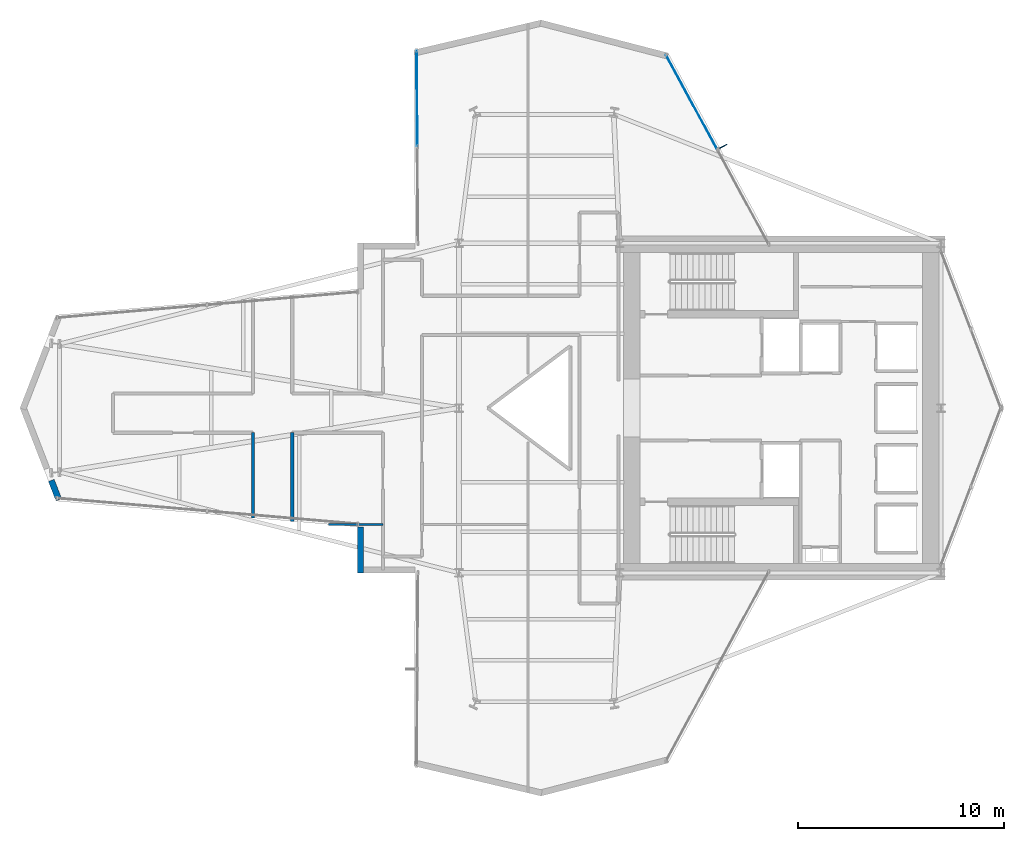
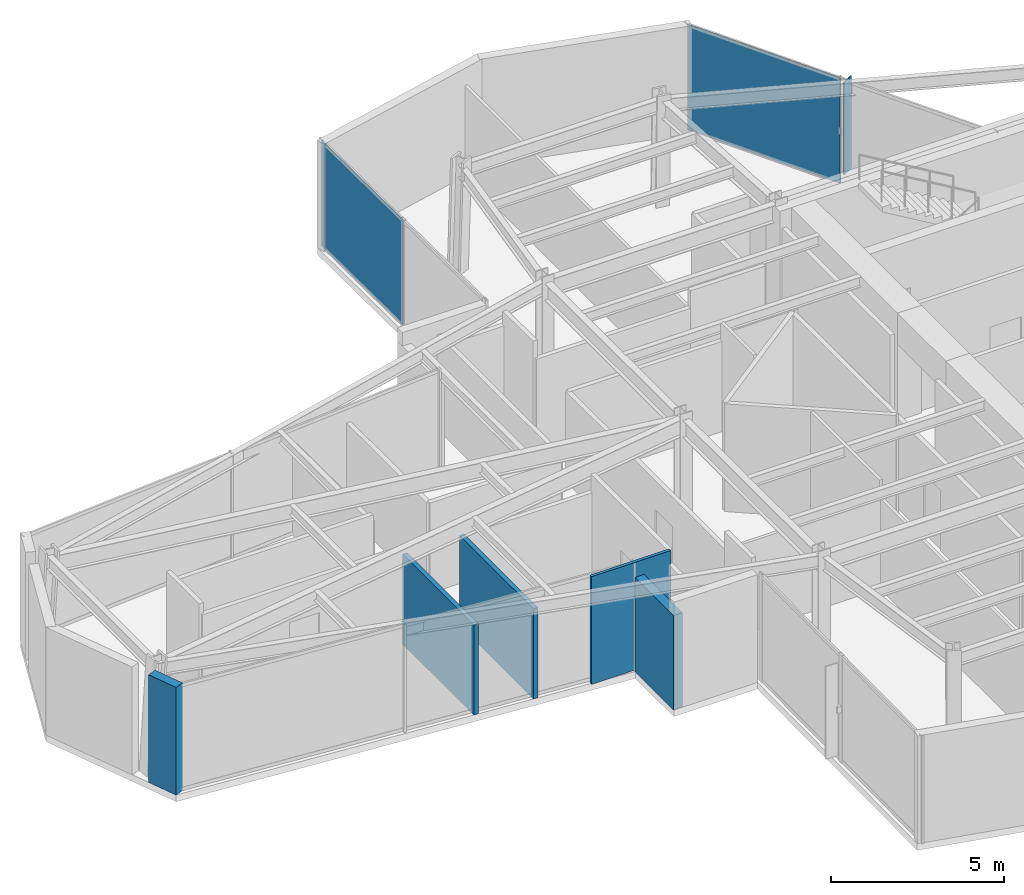
# One storey, part 22 of 26: 5 walls, 3 plates, 2 elements without a shape of their own.
"""IFC4 building model written with IfcOpenShell, lengths in metres."""

from ifc_helpers import new_model, si_unit, direction, frame, frame_2d, origin, origin_2d, place, context, subcontext, project, spatial, rectangle, extrude, material, layer, layer_set, type_object, element, aggregate, save


model = new_model("IFC4")

# Units and contexts
model_context = context("Model", 3, precision=1e-05, world=origin(), true_north=direction((0.0, 1.0)))
body_context = subcontext(model_context, "Body", "Model", "MODEL_VIEW")
ifc_project = project(units=[si_unit("LENGTHUNIT", "METRE"), si_unit("AREAUNIT", "SQUARE_METRE"), si_unit("VOLUMEUNIT", "CUBIC_METRE"), si_unit("PLANEANGLEUNIT", "RADIAN"), si_unit("MASSUNIT", "GRAM", prefix="KILO")], contexts=[model_context])

# Site, building, storey
site_placement = place(None, origin())
site = spatial("IfcSite", under=ifc_project, at=site_placement, CompositionType="ELEMENT")
building_placement = place(site_placement, origin())
building = spatial("IfcBuilding", under=site, at=building_placement, Name="Veymaron Broadcast Tower", CompositionType="ELEMENT")
storey_placement = place(building_placement, frame((0.0, 0.0, 157.35009765625)))
storey = spatial("IfcBuildingStorey", under=building, at=storey_placement, Name="L36", CompositionType="ELEMENT", Elevation=157.35009765625)

# Curtain wall, plate
ifc_material_1 = material(Name="Anodised aluminium AA 6063-T6 and laminated low-E dark glass", Category="aluminium")
ifc_layer_1 = layer(ifc_material_1, 0.179931640625)
ifc_layer_set_1 = layer_set([ifc_layer_1], Name="Anodised aluminium AA 6063-T6 and laminated low-E dark glass")
curtain_wall_type = type_object("IfcCurtainWallType", Name="CW-SYS-03", PredefinedType="NOTDEFINED", material=ifc_layer_set_1)
curtain_wall_1_placement = place(storey_placement, origin())
curtain_wall_1 = element("IfcCurtainWall", 1, at=curtain_wall_1_placement, inside=storey, type_object=curtain_wall_type, Name="L36 dark-glass curtain wall CW-L36-E5-1", PredefinedType="NOTDEFINED")
ifc_material_2 = material(Name="Insulated dark-anodised aluminium spandrel panel 40 mm", Category="aluminium")
ifc_layer_2 = layer(ifc_material_2, 0.0400390625)
ifc_layer_set_2 = layer_set([ifc_layer_2], Name="Insulated dark-anodised aluminium spandrel panel 40 mm")
plate_type_1 = type_object("IfcPlateType", Name="CW-PNL-03", PredefinedType="CURTAIN_PANEL", material=ifc_layer_set_2)
plate_1_placement = place(storey_placement, frame((42.48876953125, 38.853515625, 0.039794921875), z_axis=(0.0, 0.0, 1.0), x_axis=(-0.476821283546, 0.879000263685, 0.0)))
plate_1 = element("IfcPlate", 2, at=plate_1_placement, type_object=plate_type_1, Name="CW-L36-E5-1 unitised curtain panel 1", PredefinedType="CURTAIN_PANEL", context=body_context, shape_type="SweptSolid", body=[
    extrude(rectangle(XDim=5.188720703125, YDim=0.0400390625, at=origin_2d()), origin(), (0.0, 0.0, 1.0), 3.72998046875),
])
aggregate(curtain_wall_1, [plate_1])

curtain_wall_2_placement = place(storey_placement, origin())
curtain_wall_2 = element("IfcCurtainWall", 3, at=curtain_wall_2_placement, inside=storey, type_object=curtain_wall_type, Name="L36 dark-glass curtain wall CW-L36-E8-1", PredefinedType="NOTDEFINED")
plate_2_placement = place(storey_placement, frame((29.156982421875, 39.030517578125, 0.039794921875), z_axis=(0.0, 0.0, 1.0), x_axis=(0.006824184408, -0.999976714982, 0.0)))
plate_2 = element("IfcPlate", 4, at=plate_2_placement, type_object=plate_type_1, Name="CW-L36-E8-1 unitised curtain panel 0", PredefinedType="CURTAIN_PANEL", context=body_context, shape_type="SweptSolid", body=[
    extrude(rectangle(XDim=4.62646484375, YDim=0.0400390625, at=origin_2d()), origin(), (0.0, 0.0, 1.0), 3.72998046875),
])
aggregate(curtain_wall_2, [plate_2])

# Plate
ifc_material_3 = material(Name="Dark-anodised aluminium AA 6061-T6", Category="aluminium")
ifc_layer_3 = layer(ifc_material_3, 0.031982421875)
ifc_layer_set_3 = layer_set([ifc_layer_3], Name="Dark-anodised aluminium AA 6061-T6")
plate_type_2 = type_object("IfcPlateType", Name="FIN-CHEV-03", PredefinedType="USERDEFINED", material=ifc_layer_set_3)
plate_3_placement = place(storey_placement, frame((44.0302734375, 36.7041015625, 0.2666015625), z_axis=(0.0, 0.0, 1.0), x_axis=(0.879000263685, 0.476821283546, 0.0)))
element("IfcPlate", 5, at=plate_3_placement, inside=storey, type_object=plate_type_2, Name="CW-L36-E5-1 chevron fin 1", ObjectType="FIN", PredefinedType="USERDEFINED", context=body_context, shape_type="SweptSolid", body=[
    extrude(rectangle(XDim=0.39990234375, YDim=0.034912109375, at=origin_2d()), origin(), (0.0, 0.0, 1.0), 3.276611328125),
])

# Walls
ifc_material_4 = material(Name="Precast concrete C40/50 with mineral-wool insulation", Category="concrete")
ifc_layer_4 = layer(ifc_material_4, 0.300048828125)
ifc_layer_set_4 = layer_set([ifc_layer_4], Name="Precast concrete C40/50 with mineral-wool insulation")
wall_type_1 = type_object("IfcWallType", Name="WALL-EXT-300", PredefinedType="STANDARD", material=ifc_layer_set_4)
wall_1_placement = place(storey_placement, frame((11.402587890625, 20.48583984375, 0.0), z_axis=(0.0, 0.0, 1.0), x_axis=(0.360678505659, -0.93269020342, 0.0)))
element("IfcWall", 6, at=wall_1_placement, inside=storey, type_object=wall_type_1, Name="L36 notched corner facade pier 13-2", PredefinedType="STANDARD", context=body_context, shape_type="SweptSolid", body=[
    extrude(rectangle(XDim=1.02001953125, YDim=0.300048828125, at=frame_2d((0.510009765625, 0.0))), origin(), (0.0, 0.0, 1.0), 3.809814453125),
])
wall_2_placement = place(storey_placement, frame((26.410400390625, 18.229248046875, 0.0), z_axis=(0.0, 0.0, 1.0), x_axis=(0.0, -1.0, 0.0)))
element("IfcWall", 7, at=wall_2_placement, inside=storey, type_object=wall_type_1, Name="L36 notched corner facade pier 15-1", PredefinedType="STANDARD", context=body_context, shape_type="SweptSolid", body=[
    extrude(rectangle(XDim=2.229248046875, YDim=0.300048828125, at=frame_2d((1.11474609375, 0.0))), origin(), (0.0, 0.0, 1.0), 3.337890625),
])
ifc_material_5 = material(Name="Gypsum fireboard and steel stud framing", Category="steel")
ifc_layer_5 = layer(ifc_material_5, 0.14990234375)
ifc_layer_set_5 = layer_set([ifc_layer_5], Name="Gypsum fireboard and steel stud framing")
wall_type_2 = type_object("IfcWallType", Name="WALL-FIRE-150", PredefinedType="PARTITIONING", material=ifc_layer_set_5)
wall_3_placement = place(storey_placement, frame((23.10009765625, 18.501220703125, 0.0), z_axis=(0.0, 0.0, 1.0), x_axis=(0.0, 1.0, 0.0)))
element("IfcWall", 8, at=wall_3_placement, inside=storey, type_object=wall_type_2, Name="L36 partition IW-L36-P10", PredefinedType="PARTITIONING", context=body_context, shape_type="SweptSolid", body=[
    extrude(rectangle(XDim=4.298828125, YDim=0.14990234375, at=frame_2d((2.1494140625, 0.0))), origin(), (0.0, 0.0, 1.0), 3.18994140625),
])
wall_4_placement = place(storey_placement, frame((21.199951171875, 18.6640625, 0.0), z_axis=(0.0, 0.0, 1.0), x_axis=(0.0, 1.0, 0.0)))
element("IfcWall", 9, at=wall_4_placement, inside=storey, type_object=wall_type_2, Name="L36 partition IW-L36-P16", PredefinedType="PARTITIONING", context=body_context, shape_type="SweptSolid", body=[
    extrude(rectangle(XDim=4.135986328125, YDim=0.14990234375, at=frame_2d((2.06787109375, 0.0))), origin(), (0.0, 0.0, 1.0), 3.18994140625),
])
ifc_material_6 = material(Name="Acoustic gypsum board and galvanized stud", Category="gypsum")
ifc_layer_6 = layer(ifc_material_6, 0.10009765625)
ifc_layer_set_6 = layer_set([ifc_layer_6], Name="Acoustic gypsum board and galvanized stud")
wall_type_3 = type_object("IfcWallType", Name="WALL-PART-100", PredefinedType="PARTITIONING", material=ifc_layer_set_6)
wall_5_placement = place(storey_placement, frame((24.851318359375, 18.35107421875, 0.0), z_axis=(0.0, 0.0, 1.0), x_axis=(1.0, 0.0, 0.0)))
element("IfcWall", 10, at=wall_5_placement, inside=storey, type_object=wall_type_3, Name="L36 partition IW-L36-P29", PredefinedType="PARTITIONING", context=body_context, shape_type="SweptSolid", body=[
    extrude(rectangle(XDim=2.648681640625, YDim=0.10009765625, at=frame_2d((1.32421875, 0.0))), origin(), (0.0, 0.0, 1.0), 3.809814453125),
])

save(model, "model.ifc")
